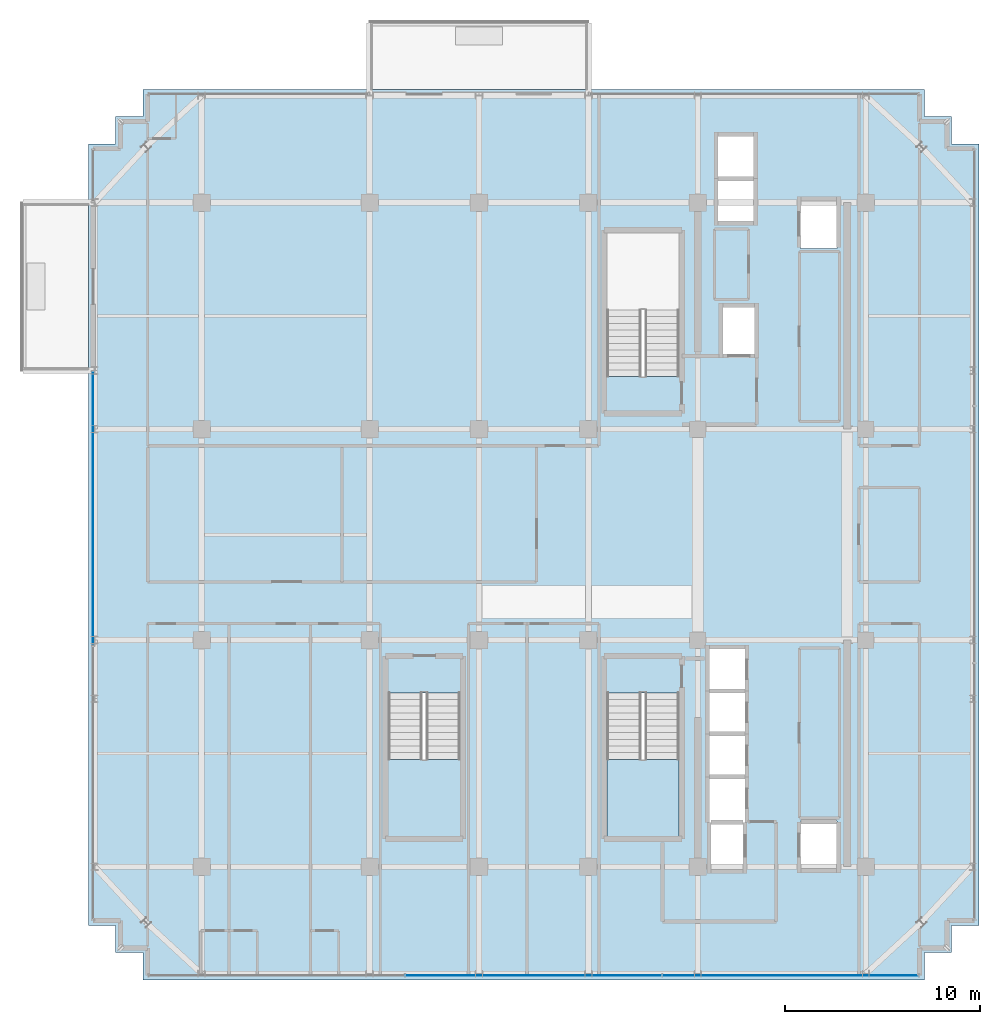
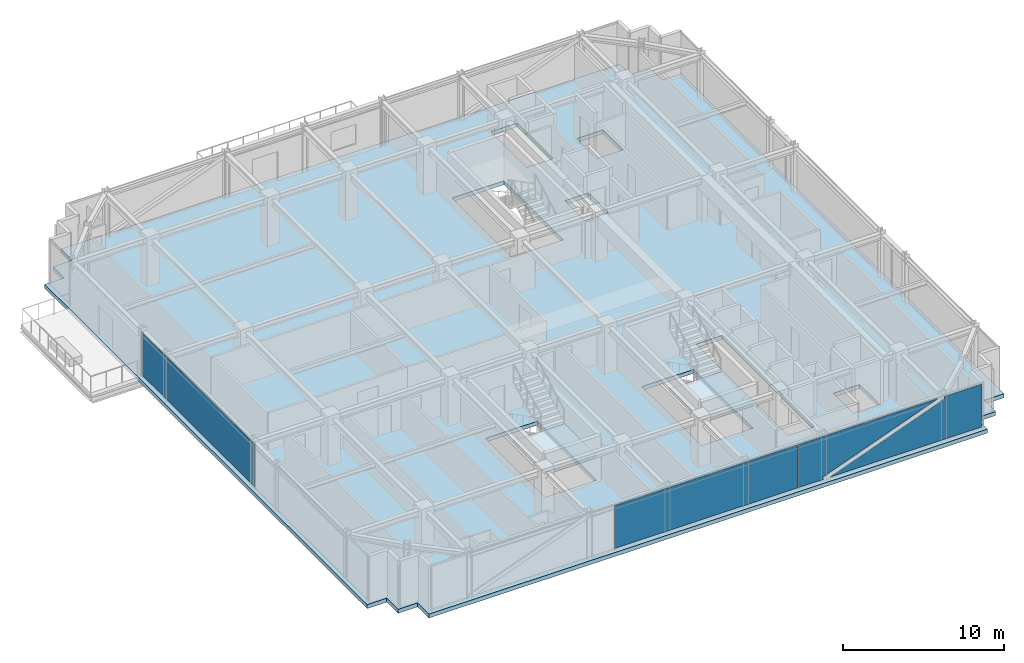
# One storey, part 26 of 36: 3 plates, 3 slabs, 4 elements without a shape of their own.
"""IFC4 building model written with IfcOpenShell, lengths in metres."""

from ifc_helpers import new_model, si_unit, direction, frame, origin, origin_2d, place, context, subcontext, project, spatial, polyline, rectangle, outline, extrude, source, transform, mapped, material, layer, layer_set, type_object, element, aggregate, save


model = new_model("IFC4")

# Units and contexts
model_context = context("Model", 3, precision=1e-05, world=origin(), true_north=direction((0.0, 1.0)))
body_context = subcontext(model_context, "Body", "Model", "MODEL_VIEW")
ifc_project = project(units=[si_unit("LENGTHUNIT", "METRE"), si_unit("AREAUNIT", "SQUARE_METRE"), si_unit("VOLUMEUNIT", "CUBIC_METRE"), si_unit("PLANEANGLEUNIT", "RADIAN"), si_unit("MASSUNIT", "GRAM", prefix="KILO")], contexts=[model_context])

# Site, building, storey
site_placement = place(None, origin())
site = spatial("IfcSite", under=ifc_project, at=site_placement, CompositionType="ELEMENT")
building_placement = place(site_placement, origin())
building = spatial("IfcBuilding", under=site, at=building_placement, Name="Nahalor Promenade Grand Hotel", CompositionType="ELEMENT")
storey_placement = place(building_placement, frame((0.0, 0.0, 319.550048828125)))
storey = spatial("IfcBuildingStorey", under=building, at=storey_placement, Name="L82", CompositionType="ELEMENT", Elevation=319.550048828125)

# Curtain wall, plate
ifc_material_1 = material(Name="Anodised Bronze Aluminium EN AW-6063 T6", Category="aluminium")
curtain_wall_type = type_object("IfcCurtainWallType", Name="CW2 Typical Hotel Flush Bronze Unitised Curtain Wall", PredefinedType="USERDEFINED", material=ifc_material_1)
curtain_wall_1_placement = place(storey_placement, origin())
curtain_wall_1 = element("IfcCurtainWall", 1, at=curtain_wall_1_placement, inside=storey, type_object=curtain_wall_type, Name="L82 Curtain Wall CW-L82-S-1", ObjectType="UNITISED_CURTAIN_WALL", PredefinedType="USERDEFINED")
ifc_material_2 = material(Name="Low-E Laminated Solar Glass", Category="glass")
ifc_layer_1 = layer(ifc_material_2, 0.028076171875)
ifc_layer_set_1 = layer_set([ifc_layer_1], Name="Low-E Laminated Solar Glass")
plate_type = type_object("IfcPlateType", Name="CWP2 Bronze Low-E Vision IGU 28mm", PredefinedType="CURTAIN_PANEL", material=ifc_layer_set_1)
plate_1_placement = place(storey_placement, frame((13.156982421875, -22.56005859375, 0.1298828125), z_axis=(0.0, 0.0, 1.0), x_axis=(1.0, 0.0, 0.0)))
plate_1 = element("IfcPlate", 2, at=plate_1_placement, type_object=plate_type, Name="CW-L82-S-1 Glazing Panel 2-0", PredefinedType="CURTAIN_PANEL", context=body_context, shape_type="SweptSolid", body=[
    extrude(outline(polyline([(-6.537841796875, 3.239990234375), (-6.537841796875, 0.0), (-4.7763671875, 0.0), (-4.841552734375, 0.17529296875), (3.394775390625, 3.239990234375), (-6.537841796875, 3.239990234375)])), frame((0.0, 0.01416015625, 0.0), z_axis=(0.0, -1.0, 0.0), x_axis=(1.0, 0.0, 0.0)), (0.0, 0.0, 1.0), 0.028076171875),
    extrude(outline(polyline([(6.537841796875, 0.0), (6.537841796875, 3.239990234375), (3.862060546875, 3.239990234375), (3.927490234375, 3.064697265625), (-4.30908203125, 0.0), (6.537841796875, 0.0)])), frame((0.0, 0.01416015625, 0.0), z_axis=(0.0, -1.0, 0.0), x_axis=(1.0, 0.0, 0.0)), (0.0, 0.0, 1.0), 0.028076171875),
])

# Stair, slab
ifc_material_3 = material(Name="Concrete B-50 (C40/50)", Category="concrete")
stair_type_1 = type_object("IfcStairType", Name="Stair-ST2", PredefinedType="HALF_TURN_STAIR", material=ifc_material_3)
stair_1_placement = place(storey_placement, origin())
stair_1 = element("IfcStair", 3, at=stair_1_placement, inside=storey, type_object=stair_type_1, Name="L82 ST2", PredefinedType="HALF_TURN_STAIR")
ifc_layer_2 = layer(ifc_material_3, 0.2099609375)
ifc_layer_set_2 = layer_set([ifc_layer_2], Name="Concrete B-50 (C40/50)")
slab_type_1 = type_object("IfcSlabType", Name="Landing-ST2", PredefinedType="LANDING", material=ifc_layer_set_2)
slab_1_placement = place(storey_placement, frame((0.0, 0.0, 1.68994140625)))
slab_1 = element("IfcSlab", 4, at=slab_1_placement, type_object=slab_type_1, Name="ST2 landing 1", PredefinedType="LANDING", context=body_context, shape_type="SweptSolid", body=[
    extrude(outline(polyline([(3.75, -11.5), (3.75, -15.449951171875), (7.449951171875, -15.449951171875), (7.449951171875, -11.5), (3.75, -11.5)])), origin(), (0.0, 0.0, 1.0), 0.2099609375),
])
aggregate(stair_1, [slab_1])

stair_type_2 = type_object("IfcStairType", Name="Stair-ST3", PredefinedType="HALF_TURN_STAIR", material=ifc_material_3)
stair_2_placement = place(storey_placement, origin())
stair_2 = element("IfcStair", 5, at=stair_2_placement, inside=storey, type_object=stair_type_2, Name="L82 ST3", PredefinedType="HALF_TURN_STAIR")
ifc_layer_3 = layer(ifc_material_3, 0.219970703125)
ifc_layer_set_3 = layer_set([ifc_layer_3], Name="Concrete B-50 (C40/50)")
slab_type_2 = type_object("IfcSlabType", Name="Landing-ST3", PredefinedType="LANDING", material=ifc_layer_set_3)
slab_2_placement = place(storey_placement, frame((0.0, 0.0, 1.679931640625)))
slab_2 = element("IfcSlab", 6, at=slab_2_placement, type_object=slab_type_2, Name="ST3 landing 1", PredefinedType="LANDING", context=body_context, shape_type="SweptSolid", body=[
    extrude(outline(polyline([(-7.449951171875, -11.5), (-7.449951171875, -15.449951171875), (-3.75, -15.449951171875), (-3.75, -11.5), (-7.449951171875, -11.5)])), origin(), (0.0, 0.0, 1.0), 0.219970703125),
])
aggregate(stair_2, [slab_2])

# Slab
ifc_layer_4 = layer(ifc_material_3, 0.300048828125)
ifc_layer_set_4 = layer_set([ifc_layer_4], Name="Concrete B-50 (C40/50)")
slab_type_3 = type_object("IfcSlabType", Name="Slab-TowerZ5-300", PredefinedType="FLOOR", material=ifc_layer_set_4)
slab_3_placement = place(storey_placement, frame((0.0, 0.0, -0.300048828125)))
element("IfcSlab", 7, at=slab_3_placement, inside=storey, type_object=slab_type_3, Name="L82 Suspended Structural Floor Slab", PredefinedType="FLOOR", context=body_context, shape_type="SweptSolid", body=[
    extrude(outline(polyline([(-20.0, -22.800048828125), (20.0, -22.800048828125), (20.0, -21.39990234375), (21.39990234375, -21.39990234375), (21.39990234375, -20.0), (22.800048828125, -20.0), (22.800048828125, 20.0), (21.39990234375, 20.0), (21.39990234375, 21.39990234375), (20.0, 21.39990234375), (20.0, 22.800048828125), (-20.0, 22.800048828125), (-20.0, 21.39990234375), (-21.39990234375, 21.39990234375), (-21.39990234375, 20.0), (-22.800048828125, 20.0), (-22.800048828125, -20.0), (-21.39990234375, -20.0), (-21.39990234375, -21.39990234375), (-20.0, -21.39990234375), (-20.0, -22.800048828125)]), holes=[polyline([(3.75, 8.10009765625), (7.449951171875, 8.10009765625), (7.449951171875, 15.449951171875), (3.75, 15.449951171875), (3.75, 8.10009765625)]), polyline([(3.75, -15.449951171875), (7.449951171875, -15.449951171875), (7.449951171875, -8.10009765625), (3.75, -8.10009765625), (3.75, -15.449951171875)]), polyline([(-7.449951171875, -15.449951171875), (-3.75, -15.449951171875), (-3.75, -8.10009765625), (-7.449951171875, -8.10009765625), (-7.449951171875, -15.449951171875)]), polyline([(8.9599609375, -17.18994140625), (10.840087890625, -17.18994140625), (10.840087890625, -5.81005859375), (8.9599609375, -5.81005859375), (8.9599609375, -17.18994140625)]), polyline([(9.409912109375, 16.010009765625), (11.2900390625, 16.010009765625), (11.2900390625, 20.43994140625), (9.409912109375, 20.43994140625), (9.409912109375, 16.010009765625)]), polyline([(9.659912109375, 9.2099609375), (11.340087890625, 9.2099609375), (11.340087890625, 11.68994140625), (9.659912109375, 11.68994140625), (9.659912109375, 9.2099609375)]), polyline([(13.659912109375, 14.659912109375), (15.5400390625, 14.659912109375), (15.5400390625, 17.139892578125), (13.659912109375, 17.139892578125), (13.659912109375, 14.659912109375)]), polyline([(13.659912109375, -17.139892578125), (15.5400390625, -17.139892578125), (15.5400390625, -14.659912109375), (13.659912109375, -14.659912109375), (13.659912109375, -17.139892578125)])]), origin(), (0.0, 0.0, 1.0), 0.300048828125),
])

# Curtain wall, plate
curtain_wall_2_placement = place(storey_placement, origin())
curtain_wall_2 = element("IfcCurtainWall", 8, at=curtain_wall_2_placement, inside=storey, type_object=curtain_wall_type, Name="L82 Curtain Wall CW-L82-W-1", ObjectType="UNITISED_CURTAIN_WALL", PredefinedType="USERDEFINED")
shared_shape_1 = source(origin(), body_context, "Body", "SweptSolid", [
    extrude(rectangle(XDim=13.982421875, YDim=0.028076171875, at=origin_2d()), origin(), (0.0, 0.0, 1.0), 3.239990234375),
])
plate_2_placement = place(storey_placement, frame((-22.56005859375, 1.34375, 0.1298828125), z_axis=(0.0, 0.0, 1.0), x_axis=(0.0, 1.0, 0.0)))
plate_2 = element("IfcPlate", 9, at=plate_2_placement, type_object=plate_type, Name="CW-L82-W-1 Glazing Panel 1-0", PredefinedType="CURTAIN_PANEL", context=body_context, shape_type="MappedRepresentation", body=[
    mapped(shared_shape_1, transform((0.0, 0.0, 0.0), scale=1.0)),
])
aggregate(curtain_wall_2, [plate_2])

# Plate
shared_shape_2 = source(origin(), body_context, "Body", "SweptSolid", [
    extrude(rectangle(XDim=13.1083984375, YDim=0.028076171875, at=origin_2d()), origin(), (0.0, 0.0, 1.0), 3.239990234375),
])
plate_3_placement = place(storey_placement, frame((0.0, -22.56005859375, 0.1298828125), z_axis=(0.0, 0.0, 1.0), x_axis=(1.0, 0.0, 0.0)))
plate_3 = element("IfcPlate", 10, at=plate_3_placement, type_object=plate_type, Name="CW-L82-S-1 Glazing Panel 1-0", PredefinedType="CURTAIN_PANEL", context=body_context, shape_type="MappedRepresentation", body=[
    mapped(shared_shape_2, transform((0.0, 0.0, 0.0), scale=1.0)),
])

aggregate(curtain_wall_1, [plate_3, plate_1])

save(model, "model.ifc")
